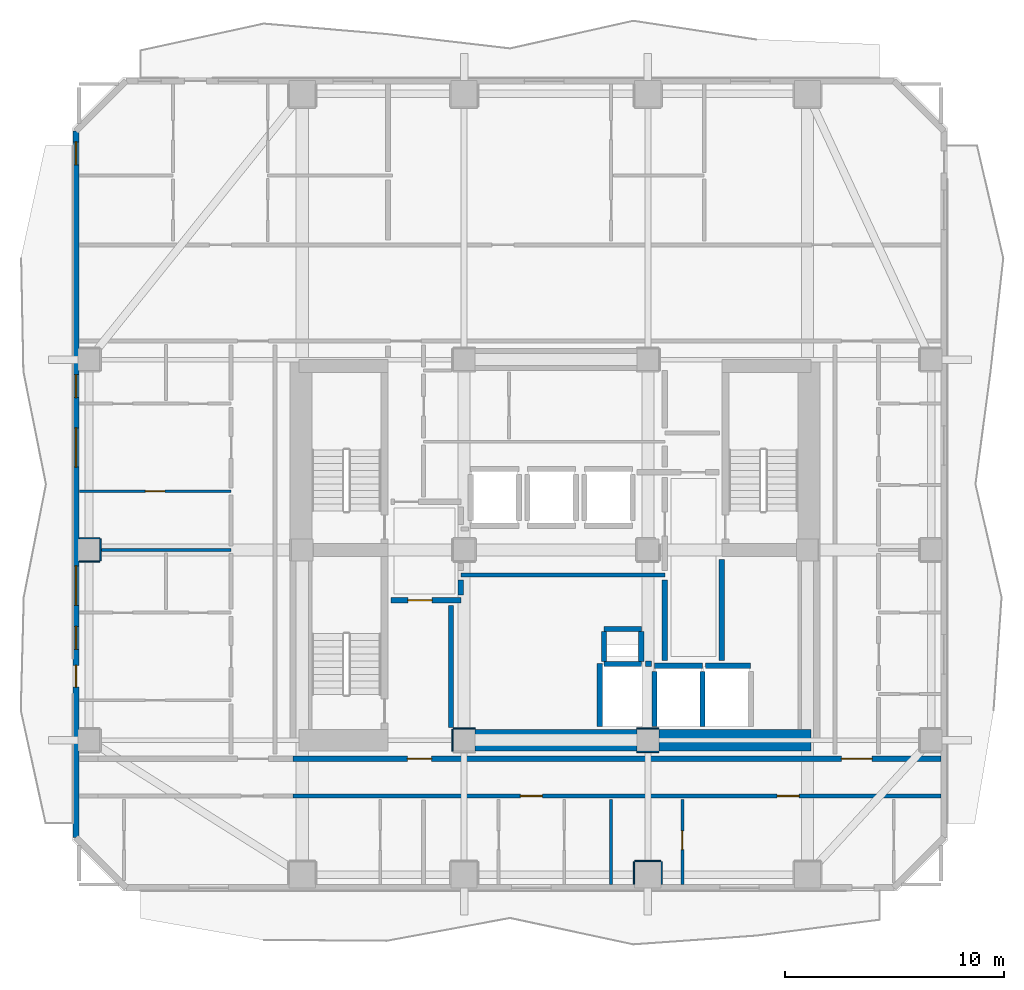
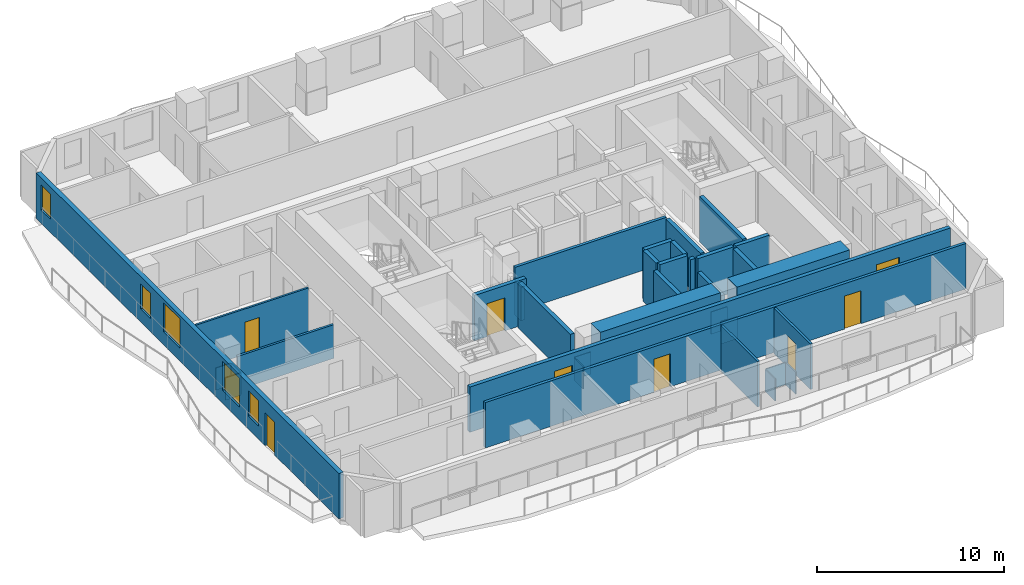
# One storey, part 3 of 11: 35 walls, 8 doors, 5 windows, 13 openings.
"""IFC4 building model written with IfcOpenShell, lengths in metres."""

from ifc_helpers import new_model, si_unit, direction, frame, frame_2d, origin, place, context, subcontext, project, spatial, rectangle, extrude, material, layer, layer_set, type_object, element, fill, save


model = new_model("IFC4")

# Units and contexts
model_context = context("Model", 3, precision=1e-05, world=origin(), true_north=direction((0.0, 1.0)))
body_context = subcontext(model_context, "Body", "Model", "MODEL_VIEW")
ifc_project = project(units=[si_unit("LENGTHUNIT", "METRE"), si_unit("AREAUNIT", "SQUARE_METRE"), si_unit("VOLUMEUNIT", "CUBIC_METRE"), si_unit("PLANEANGLEUNIT", "RADIAN"), si_unit("MASSUNIT", "GRAM", prefix="KILO")], contexts=[model_context])

# Site, building, storey
site_placement = place(None, origin())
site = spatial("IfcSite", under=ifc_project, at=site_placement, CompositionType="ELEMENT")
building_placement = place(site_placement, origin())
building = spatial("IfcBuilding", under=site, at=building_placement, Name="Solanera Arch Residences", CompositionType="ELEMENT")
storey_placement = place(building_placement, frame((0.0, 0.0, 169.159912109375)))
storey = spatial("IfcBuildingStorey", under=building, at=storey_placement, Name="L49", CompositionType="ELEMENT", Elevation=169.159912109375)

# Walls
ifc_material_1 = material(Name="Fire-Rated Gypsum Stud Partition", Category="gypsum")
ifc_layer_1 = layer(ifc_material_1, 0.06005859375)
ifc_layer_set_1 = layer_set([ifc_layer_1], Name="Fire-Rated Gypsum Stud Partition")
wall_type_1 = type_object("IfcWallType", Name="Column Acoustic Furring Wall 60", PredefinedType="PARTITIONING", material=ifc_layer_set_1)
for number, where, z_axis, x_axis, name in (
    (1, (20.300048828125, 22.531982421875, 0.0), (0.0, 0.0, 1.0), (1.0, 0.0, 0.0), "L49 Column Furring 1N"),
    (2, (20.26806640625, 21.5, 0.0), (0.0, 0.0, 1.0), (0.0, 1.0, 0.0), "L49 Column Furring 1W"),
    (3, (28.699951171875, 21.468017578125, 0.0), (0.0, 0.0, 1.0), (1.0, 0.0, 0.0), "L49 Column Furring 2S"),
    (4, (28.699951171875, 22.531982421875, 0.0), (0.0, 0.0, 1.0), (1.0, 0.0, 0.0), "L49 Column Furring 2N"),
):
    element("IfcWall", number, at=place(storey_placement, frame(where, z_axis=z_axis, x_axis=x_axis)), inside=storey, type_object=wall_type_1, Name=name, PredefinedType="PARTITIONING", context=body_context, shape_type="SweptSolid", body=[
        extrude(rectangle(XDim=1.0, YDim=0.06005859375, at=frame_2d((0.5, 0.0))), origin(), (0.0, 0.0, 1.0), 1.4501953125),
    ])
wall_1_placement = place(storey_placement, frame((28.60009765625, 16.48193359375, 0.0), z_axis=(0.0, 0.0, 1.0), x_axis=(1.0, 0.0, 0.0)))
element("IfcWall", 5, at=wall_1_placement, inside=storey, type_object=wall_type_1, Name="L49 Column Furring 13N", PredefinedType="PARTITIONING", context=body_context, shape_type="SweptSolid", body=[
    extrude(rectangle(XDim=1.199951171875, YDim=0.06005859375, at=frame_2d((0.60009765625, 0.0))), origin(), (0.0, 0.0, 1.0), 1.4501953125),
])
for number, where, z_axis, x_axis, name in (
    (6, (28.568115234375, 15.409912109375, 0.0), (0.0, 0.0, 1.0), (0.0, 1.0, 0.0), "L49 Column Furring 13W"),
    (7, (29.83203125, 15.409912109375, 0.0), (0.0, 0.0, 1.0), (0.0, 1.0, 0.0), "L49 Column Furring 13E"),
):
    element("IfcWall", number, at=place(storey_placement, frame(where, z_axis=z_axis, x_axis=x_axis)), inside=storey, type_object=wall_type_1, Name=name, PredefinedType="PARTITIONING", context=body_context, shape_type="SweptSolid", body=[
        extrude(rectangle(XDim=1.0400390625, YDim=0.06005859375, at=frame_2d((0.52001953125, 0.0))), origin(), (0.0, 0.0, 1.0), 1.4501953125),
    ])
for number, where, z_axis, x_axis, name in (
    (8, (3.2099609375, 30.16796875, 0.0), (0.0, 0.0, 1.0), (1.0, 0.0, 0.0), "L49 Column Furring 19S"),
    (9, (3.2099609375, 31.23193359375, 0.0), (0.0, 0.0, 1.0), (1.0, 0.0, 0.0), "L49 Column Furring 19N"),
):
    element("IfcWall", number, at=place(storey_placement, frame(where, z_axis=z_axis, x_axis=x_axis)), inside=storey, type_object=wall_type_1, Name=name, PredefinedType="PARTITIONING", context=body_context, shape_type="SweptSolid", body=[
        extrude(rectangle(XDim=0.93994140625, YDim=0.06005859375, at=frame_2d((0.469970703125, 0.0))), origin(), (0.0, 0.0, 1.0), 1.4501953125),
    ])
wall_2_placement = place(storey_placement, frame((4.181884765625, 30.199951171875, 0.0), z_axis=(0.0, 0.0, 1.0), x_axis=(0.0, 1.0, 0.0)))
element("IfcWall", 10, at=wall_2_placement, inside=storey, type_object=wall_type_1, Name="L49 Column Furring 19E", PredefinedType="PARTITIONING", context=body_context, shape_type="SweptSolid", body=[
    extrude(rectangle(XDim=1.0, YDim=0.06005859375, at=frame_2d((0.5, 0.0))), origin(), (0.0, 0.0, 1.0), 1.4501953125),
])
ifc_material_2 = material(Name="Concrete C55/67 (f'c = 60 MPa)", Category="concrete")
ifc_layer_2 = layer(ifc_material_2, 1.0)
ifc_layer_set_2 = layer_set([ifc_layer_2], Name="Concrete C55/67 (f'c = 60 MPa)")
wall_type_2 = type_object("IfcWallType", Name="Core Shear Wall CW-1000", PredefinedType="SHEAR", material=ifc_layer_set_2)
wall_3_placement = place(storey_placement, frame((29.705078125, 22.0, 0.0), z_axis=(0.0, 0.0, 1.0), x_axis=(1.0, 0.0, 0.0)))
element("IfcWall", 11, at=wall_3_placement, inside=storey, type_object=wall_type_2, Name="L49 South-East Core Shear Wall", PredefinedType="SHEAR", context=body_context, shape_type="SweptSolid", body=[
    extrude(rectangle(XDim=6.954833984375, YDim=1.0, at=frame_2d((3.4775390625, 0.0))), origin(), (0.0, 0.0, 1.0), 3.320068359375),
])
wall_4_placement = place(storey_placement, frame((21.304931640625, 22.0, 0.0), z_axis=(0.0, 0.0, 1.0), x_axis=(1.0, 0.0, 0.0)))
element("IfcWall", 12, at=wall_4_placement, inside=storey, type_object=wall_type_2, Name="L49 Central South Core Shear Wall", PredefinedType="SHEAR", context=body_context, shape_type="SweptSolid", body=[
    extrude(rectangle(XDim=7.39013671875, YDim=1.0, at=frame_2d((3.695068359375, 0.0))), origin(), (0.0, 0.0, 1.0), 3.320068359375),
])

# Wall, openings, doors
ifc_material_3 = material(Name="Autoclaved Aerated Concrete Blockwork", Category="masonry")
ifc_layer_3 = layer(ifc_material_3, 0.179931640625)
ifc_layer_set_3 = layer_set([ifc_layer_3], Name="Autoclaved Aerated Concrete Blockwork")
wall_type_3 = type_object("IfcWallType", Name="Corridor Fire Partition 180", PredefinedType="PARTITIONING", material=ifc_layer_set_3)
wall_5_placement = place(storey_placement, frame((12.98291015625, 19.449951171875, 0.0), z_axis=(0.0, 0.0, 1.0), x_axis=(1.0, 0.0, 0.0)))
wall_5 = element("IfcWall", 13, at=wall_5_placement, inside=storey, type_object=wall_type_3, Name="L49 Interior Partition H6 3", PredefinedType="PARTITIONING", context=body_context, shape_type="SweptSolid", body=[
    extrude(rectangle(XDim=29.610107421875, YDim=0.179931640625, at=frame_2d((14.80517578125, 0.0))), origin(), (0.0, 0.0, 1.0), 2.960205078125),
])
opening_1_placement = place(wall_5_placement, frame((10.39208984375, 0.0, 0.0)))
opening_1 = element("IfcOpeningElement", 14, at=opening_1_placement, cuts=wall_5, Name="Opening DI-01", PredefinedType="OPENING", context=body_context, shape_type="SweptSolid", body=[
    extrude(rectangle(XDim=1.0, YDim=2.14990234375, at=frame_2d((0.5, 1.074951171875))), frame((0.0, 0.10009765625, 0.0), z_axis=(0.0, -1.0, 0.0), x_axis=(1.0, 0.0, 0.0)), (0.0, 0.0, 1.0), 0.1999),
])
opening_2_placement = place(wall_5_placement, frame((22.132080078125, 0.0, 0.0)))
opening_2 = element("IfcOpeningElement", 15, at=opening_2_placement, cuts=wall_5, Name="Opening DI-01", PredefinedType="OPENING", context=body_context, shape_type="SweptSolid", body=[
    extrude(rectangle(XDim=1.0, YDim=2.14990234375, at=frame_2d((0.5, 1.074951171875))), frame((0.0, 0.10009765625, 0.0), z_axis=(0.0, -1.0, 0.0), x_axis=(1.0, 0.0, 0.0)), (0.0, 0.0, 1.0), 0.1999),
])
ifc_material_4 = material(Name="Fire-Rated Architectural Hardwood", Category="wood")
door_type_1 = type_object("IfcDoorType", Name="Unit Entrance Fire Door DI-01", OperationType="NOTDEFINED", PredefinedType="DOOR", material=ifc_material_4)
door_1_placement = place(opening_1_placement, origin())
door_1 = element("IfcDoor", 16, at=door_1_placement, inside=storey, type_object=door_type_1, Name="DR-L49-IN-019", OperationType="SINGLE_SWING_LEFT", OverallHeight=2.14990234375, OverallWidth=1.0, PredefinedType="DOOR", context=body_context, shape_type="SweptSolid", body=[
    extrude(rectangle(XDim=1.0, YDim=2.14990234375, at=frame_2d((0.5, 1.074951171875))), frame((0.0, 0.02490234375, 0.0), z_axis=(0.0, -1.0, 0.0), x_axis=(1.0, 0.0, 0.0)), (0.0, 0.0, 1.0), 0.050048828125),
])
fill(opening_1, door_1)
door_2_placement = place(opening_2_placement, origin())
door_2 = element("IfcDoor", 17, at=door_2_placement, inside=storey, type_object=door_type_1, Name="DR-L49-IN-022", OperationType="SINGLE_SWING_RIGHT", OverallHeight=2.14990234375, OverallWidth=1.0, PredefinedType="DOOR", context=body_context, shape_type="SweptSolid", body=[
    extrude(rectangle(XDim=1.0, YDim=2.14990234375, at=frame_2d((0.5, 1.074951171875))), frame((0.0, 0.02490234375, 0.0), z_axis=(0.0, -1.0, 0.0), x_axis=(1.0, 0.0, 0.0)), (0.0, 0.0, 1.0), 0.050048828125),
])
fill(opening_2, door_2)

# Wall
wall_6_placement = place(storey_placement, frame((20.64990234375, 29.550048828125, 0.0), z_axis=(0.0, 0.0, 1.0), x_axis=(1.0, 0.0, 0.0)))
element("IfcWall", 18, at=wall_6_placement, inside=storey, type_object=wall_type_3, Name="L49 Interior Partition H7", PredefinedType="PARTITIONING", context=body_context, shape_type="SweptSolid", body=[
    extrude(rectangle(XDim=9.3251953125, YDim=0.179931640625, at=frame_2d((4.66259765625, 0.0))), origin(), (0.0, 0.0, 1.0), 2.960205078125),
])

# Wall, openings, door, windows
ifc_material_5 = material(Name="Precast Concrete C35/45", Category="concrete")
ifc_layer_4 = layer(ifc_material_5, 0.280029296875)
ifc_layer_set_4 = layer_set([ifc_layer_4], Name="Precast Concrete C35/45")
wall_type_4 = type_object("IfcWallType", Name="Exterior Wall Precast Masonry-Frame 280", PredefinedType="STANDARD", material=ifc_layer_set_4)
wall_7_placement = place(storey_placement, frame((3.054931640625, 17.554931640625, 0.0), z_axis=(0.0, 0.0, 1.0), x_axis=(0.0, 1.0, 0.0)))
wall_7 = element("IfcWall", 19, at=wall_7_placement, inside=storey, type_object=wall_type_4, Name="L49 Tower Exterior Precast Masonry-Frame Wall W", PredefinedType="STANDARD", context=body_context, shape_type="SweptSolid", body=[
    extrude(rectangle(XDim=32.2900390625, YDim=0.280029296875, at=frame_2d((16.14501953125, 0.0))), origin(), (0.0, 0.0, 1.0), 2.960205078125),
])
opening_3_placement = place(wall_7_placement, frame((6.87109375, 0.0, 0.0)))
opening_3 = element("IfcOpeningElement", 20, at=opening_3_placement, cuts=wall_7, Name="Opening DB-01", PredefinedType="OPENING", context=body_context, shape_type="SweptSolid", body=[
    extrude(rectangle(XDim=1.0, YDim=2.14990234375, at=frame_2d((0.5, 1.074951171875))), frame((0.0, 0.14990234375, 0.0), z_axis=(0.0, -1.0, 0.0), x_axis=(1.0, 0.0, 0.0)), (0.0, 0.0, 1.0), 0.3),
])
opening_4_placement = place(wall_7_placement, frame((30.7529296875, 0.0, 0.85009765625)))
opening_4 = element("IfcOpeningElement", 21, at=opening_4_placement, cuts=wall_7, Name="Opening W-07", PredefinedType="OPENING", context=body_context, shape_type="SweptSolid", body=[
    extrude(rectangle(XDim=1.050048828125, YDim=1.64990234375, at=frame_2d((0.52490234375, 0.824951171875))), frame((0.0, 0.14990234375, 0.0), z_axis=(0.0, -1.0, 0.0), x_axis=(1.0, 0.0, 0.0)), (0.0, 0.0, 1.0), 0.3),
])
opening_5_placement = place(wall_7_placement, frame((8.60009765625, 0.0, 0.85009765625)))
opening_5 = element("IfcOpeningElement", 22, at=opening_5_placement, cuts=wall_7, Name="Opening W-07", PredefinedType="OPENING", context=body_context, shape_type="SweptSolid", body=[
    extrude(rectangle(XDim=1.050048828125, YDim=1.64990234375, at=frame_2d((0.52490234375, 0.824951171875))), frame((0.0, 0.14990234375, 0.0), z_axis=(0.0, -1.0, 0.0), x_axis=(1.0, 0.0, 0.0)), (0.0, 0.0, 1.0), 0.3),
])
opening_6_placement = place(wall_7_placement, frame((10.612060546875, 0.0, 0.85009765625)))
opening_6 = element("IfcOpeningElement", 23, at=opening_6_placement, cuts=wall_7, Name="Opening W-03", PredefinedType="OPENING", context=body_context, shape_type="SweptSolid", body=[
    extrude(rectangle(XDim=1.800048828125, YDim=1.89990234375, at=frame_2d((0.89990234375, 0.949951171875))), frame((0.0, 0.14990234375, 0.0), z_axis=(0.0, -1.0, 0.0), x_axis=(1.0, 0.0, 0.0)), (0.0, 0.0, 1.0), 0.3),
])
opening_7_placement = place(wall_7_placement, frame((16.925048828125, 0.0, 0.85009765625)))
opening_7 = element("IfcOpeningElement", 24, at=opening_7_placement, cuts=wall_7, Name="Opening W-03", PredefinedType="OPENING", context=body_context, shape_type="SweptSolid", body=[
    extrude(rectangle(XDim=1.800048828125, YDim=1.89990234375, at=frame_2d((0.89990234375, 0.949951171875))), frame((0.0, 0.14990234375, 0.0), z_axis=(0.0, -1.0, 0.0), x_axis=(1.0, 0.0, 0.0)), (0.0, 0.0, 1.0), 0.3),
])
opening_8_placement = place(wall_7_placement, frame((20.113037109375, 0.0, 0.85009765625)))
opening_8 = element("IfcOpeningElement", 25, at=opening_8_placement, cuts=wall_7, Name="Opening W-07", PredefinedType="OPENING", context=body_context, shape_type="SweptSolid", body=[
    extrude(rectangle(XDim=1.050048828125, YDim=1.64990234375, at=frame_2d((0.52490234375, 0.824951171875))), frame((0.0, 0.14990234375, 0.0), z_axis=(0.0, -1.0, 0.0), x_axis=(1.0, 0.0, 0.0)), (0.0, 0.0, 1.0), 0.3),
])
ifc_material_6 = material(Name="Anodised Aluminium Alloy 6063-T6", Category="aluminium")
door_type_2 = type_object("IfcDoorType", Name="Glazed Balcony Swing Door DB-01", OperationType="NOTDEFINED", PredefinedType="DOOR", material=ifc_material_6)
door_3_placement = place(opening_3_placement, origin())
door_3 = element("IfcDoor", 26, at=door_3_placement, inside=storey, type_object=door_type_2, Name="DR-L49-OUT-04", OperationType="SINGLE_SWING_RIGHT", OverallHeight=2.14990234375, OverallWidth=1.0, PredefinedType="DOOR", context=body_context, shape_type="SweptSolid", body=[
    extrude(rectangle(XDim=1.0, YDim=2.14990234375, at=frame_2d((0.5, 1.074951171875))), frame((0.0, 0.02490234375, 0.0), z_axis=(0.0, -1.0, 0.0), x_axis=(1.0, 0.0, 0.0)), (0.0, 0.0, 1.0), 0.050048828125),
])
fill(opening_3, door_3)
ifc_material_7 = material(Name="Double Glazed Low-E Laminated Glass", Category="glass")
window_type_1 = type_object("IfcWindowType", Name="Punched Window W-03", PartitioningType="DOUBLE_PANEL_VERTICAL", PredefinedType="WINDOW", material=ifc_material_7)
window_1_placement = place(opening_6_placement, origin())
window_1 = element("IfcWindow", 27, at=window_1_placement, inside=storey, type_object=window_type_1, Name="L49 4906-BR1 Punched Window", OverallHeight=1.89990234375, OverallWidth=1.800048828125, PartitioningType="SINGLE_PANEL", PredefinedType="WINDOW", context=body_context, shape_type="SweptSolid", body=[
    extrude(rectangle(XDim=1.800048828125, YDim=1.89990234375, at=frame_2d((0.89990234375, 0.949951171875))), frame((0.0, 0.030029296875, 0.0), z_axis=(0.0, -1.0, 0.0), x_axis=(1.0, 0.0, 0.0)), (0.0, 0.0, 1.0), 0.06005859375),
])
fill(opening_6, window_1)
window_2_placement = place(opening_7_placement, origin())
window_2 = element("IfcWindow", 28, at=window_2_placement, inside=storey, type_object=window_type_1, Name="L49 4907-LIV Punched Window", OverallHeight=1.89990234375, OverallWidth=1.800048828125, PartitioningType="SINGLE_PANEL", PredefinedType="WINDOW", context=body_context, shape_type="SweptSolid", body=[
    extrude(rectangle(XDim=1.800048828125, YDim=1.89990234375, at=frame_2d((0.89990234375, 0.949951171875))), frame((0.0, 0.030029296875, 0.0), z_axis=(0.0, -1.0, 0.0), x_axis=(1.0, 0.0, 0.0)), (0.0, 0.0, 1.0), 0.06005859375),
])
fill(opening_7, window_2)
ifc_material_8 = material(Name="Double Glazed Low-E Laminated Glass", Category="glass")
window_type_2 = type_object("IfcWindowType", Name="Punched Window W-07", PartitioningType="SINGLE_PANEL", PredefinedType="WINDOW", material=ifc_material_8)
window_3_placement = place(opening_4_placement, origin())
window_3 = element("IfcWindow", 29, at=window_3_placement, inside=storey, type_object=window_type_2, Name="L49 4904-BR1 Punched Window", OverallHeight=1.64990234375, OverallWidth=1.050048828125, PartitioningType="SINGLE_PANEL", PredefinedType="WINDOW", context=body_context, shape_type="SweptSolid", body=[
    extrude(rectangle(XDim=1.050048828125, YDim=1.64990234375, at=frame_2d((0.52490234375, 0.824951171875))), frame((0.0, 0.030029296875, 0.0), z_axis=(0.0, -1.0, 0.0), x_axis=(1.0, 0.0, 0.0)), (0.0, 0.0, 1.0), 0.06005859375),
])
fill(opening_4, window_3)
window_4_placement = place(opening_5_placement, origin())
window_4 = element("IfcWindow", 30, at=window_4_placement, inside=storey, type_object=window_type_2, Name="L49 4906-LIV Punched Window", OverallHeight=1.64990234375, OverallWidth=1.050048828125, PartitioningType="SINGLE_PANEL", PredefinedType="WINDOW", context=body_context, shape_type="SweptSolid", body=[
    extrude(rectangle(XDim=1.050048828125, YDim=1.64990234375, at=frame_2d((0.52490234375, 0.824951171875))), frame((0.0, 0.030029296875, 0.0), z_axis=(0.0, -1.0, 0.0), x_axis=(1.0, 0.0, 0.0)), (0.0, 0.0, 1.0), 0.06005859375),
])
fill(opening_5, window_4)
window_5_placement = place(opening_8_placement, origin())
window_5 = element("IfcWindow", 31, at=window_5_placement, inside=storey, type_object=window_type_2, Name="L49 4907-BR1 Punched Window", OverallHeight=1.64990234375, OverallWidth=1.050048828125, PartitioningType="SINGLE_PANEL", PredefinedType="WINDOW", context=body_context, shape_type="SweptSolid", body=[
    extrude(rectangle(XDim=1.050048828125, YDim=1.64990234375, at=frame_2d((0.52490234375, 0.824951171875))), frame((0.0, 0.030029296875, 0.0), z_axis=(0.0, -1.0, 0.0), x_axis=(1.0, 0.0, 0.0)), (0.0, 0.0, 1.0), 0.06005859375),
])
fill(opening_8, window_5)

# Walls
ifc_material_9 = material(Name="Concrete C40/50 (f'c = 45 MPa)", Category="concrete")
ifc_layer_5 = layer(ifc_material_9, 0.239990234375)
ifc_layer_set_5 = layer_set([ifc_layer_5], Name="Concrete C40/50 (f'c = 45 MPa)")
wall_type_5 = type_object("IfcWallType", Name="Ramp Bearing Shear Wall RW-240", PredefinedType="SHEAR", material=ifc_layer_set_5)
for number, where, z_axis, x_axis, name in (
    (32, (27.199951171875, 25.47998046875, 0.0), (0.0, 0.0, 1.0), (1.0, 0.0, 0.0), "L49 Core MEP Riser South Shaft Wall"),
    (33, (27.199951171875, 27.080078125, 0.0), (0.0, 0.0, 1.0), (1.0, 0.0, 0.0), "L49 Core MEP Riser North Shaft Wall"),
):
    element("IfcWall", number, at=place(storey_placement, frame(where, z_axis=z_axis, x_axis=x_axis)), inside=storey, type_object=wall_type_5, Name=name, PredefinedType="SHEAR", context=body_context, shape_type="SweptSolid", body=[
        extrude(rectangle(XDim=1.699951171875, YDim=0.239990234375, at=frame_2d((0.85009765625, 0.0))), origin(), (0.0, 0.0, 1.0), 3.320068359375),
    ])
for number, where, z_axis, x_axis, name in (
    (34, (27.199951171875, 25.60009765625, 0.0), (0.0, 0.0, 1.0), (0.0, 1.0, 0.0), "L49 Core MEP Riser West Shaft Wall"),
    (35, (28.89990234375, 25.60009765625, 0.0), (0.0, 0.0, 1.0), (0.0, 1.0, 0.0), "L49 Core MEP Riser East Shaft Wall"),
):
    element("IfcWall", number, at=place(storey_placement, frame(where, z_axis=z_axis, x_axis=x_axis)), inside=storey, type_object=wall_type_5, Name=name, PredefinedType="SHEAR", context=body_context, shape_type="SweptSolid", body=[
        extrude(rectangle(XDim=1.35986328125, YDim=0.239990234375, at=frame_2d((0.679931640625, 0.0))), origin(), (0.0, 0.0, 1.0), 3.320068359375),
    ])
ifc_material_10 = material(Name="Autoclaved Aerated Concrete Blockwork", Category="masonry")
ifc_layer_6 = layer(ifc_material_10, 0.239990234375)
ifc_layer_set_6 = layer_set([ifc_layer_6], Name="Autoclaved Aerated Concrete Blockwork")
wall_type_6 = type_object("IfcWallType", Name="Shaft Wall Fire-Rated 240", PredefinedType="PARTITIONING", material=ifc_layer_set_6)
wall_8_placement = place(storey_placement, frame((29.5, 25.39990234375, 0.0), z_axis=(0.0, 0.0, 1.0), x_axis=(1.0, 0.0, 0.0)))
element("IfcWall", 36, at=wall_8_placement, inside=storey, type_object=wall_type_6, Name="L49 Lift FFL-1 Hoistway Wall N", PredefinedType="PARTITIONING", context=body_context, shape_type="SweptSolid", body=[
    extrude(rectangle(XDim=2.199951171875, YDim=0.239990234375, at=frame_2d((1.10009765625, 0.0))), origin(), (0.0, 0.0, 1.0), 2.960205078125),
])
wall_9_placement = place(storey_placement, frame((29.5, 22.632080078125, 0.0), z_axis=(0.0, 0.0, 1.0), x_axis=(0.0, 1.0, 0.0)))
element("IfcWall", 37, at=wall_9_placement, inside=storey, type_object=wall_type_6, Name="L49 Lift FFL-1 Hoistway Wall W", PredefinedType="PARTITIONING", context=body_context, shape_type="SweptSolid", body=[
    extrude(rectangle(XDim=2.52001953125, YDim=0.239990234375, at=frame_2d((1.260009765625, 0.0))), origin(), (0.0, 0.0, 1.0), 2.195068359375),
])
wall_10_placement = place(storey_placement, frame((31.699951171875, 22.6298828125, 0.0), z_axis=(0.0, 0.0, 1.0), x_axis=(0.0, 1.0, 0.0)))
element("IfcWall", 38, at=wall_10_placement, inside=storey, type_object=wall_type_6, Name="L49 Lift FFL-1 Hoistway Wall E", PredefinedType="PARTITIONING", context=body_context, shape_type="SweptSolid", body=[
    extrude(rectangle(XDim=2.522216796875, YDim=0.239990234375, at=frame_2d((1.26123046875, 0.0))), origin(), (0.0, 0.0, 1.0), 2.960205078125),
])
wall_11_placement = place(storey_placement, frame((31.827880859375, 25.39990234375, 0.0), z_axis=(0.0, 0.0, 1.0), x_axis=(1.0, 0.0, 0.0)))
element("IfcWall", 39, at=wall_11_placement, inside=storey, type_object=wall_type_6, Name="L49 Lift FFL-2 Hoistway Wall N", PredefinedType="PARTITIONING", context=body_context, shape_type="SweptSolid", body=[
    extrude(rectangle(XDim=2.072021484375, YDim=0.239990234375, at=frame_2d((1.0361328125, 0.0))), origin(), (0.0, 0.0, 1.0), 2.960205078125),
])
wall_12_placement = place(storey_placement, frame((29.10302734375, 25.5, 0.0), z_axis=(0.0, 0.0, 1.0), x_axis=(1.0, 0.0, 0.0)))
element("IfcWall", 40, at=wall_12_placement, inside=storey, type_object=wall_type_6, Name="L49 Lift SVL-1 Hoistway Wall N", PredefinedType="PARTITIONING", context=body_context, shape_type="SweptSolid", body=[
    extrude(rectangle(XDim=0.26904296875, YDim=0.239990234375, at=frame_2d((0.134521484375, 0.0))), origin(), (0.0, 0.0, 1.0), 2.960205078125),
])
wall_13_placement = place(storey_placement, frame((27.0, 22.6298828125, 0.0), z_axis=(0.0, 0.0, 1.0), x_axis=(0.0, 1.0, 0.0)))
element("IfcWall", 41, at=wall_13_placement, inside=storey, type_object=wall_type_6, Name="L49 Lift SVL-1 Hoistway Wall W", PredefinedType="PARTITIONING", context=body_context, shape_type="SweptSolid", body=[
    extrude(rectangle(XDim=2.8681640625, YDim=0.239990234375, at=frame_2d((1.43408203125, 0.0))), origin(), (0.0, 0.0, 1.0), 2.960205078125),
])

# Wall, openings, doors
wall_14_placement = place(storey_placement, frame((12.98291015625, 21.14990234375, 0.0), z_axis=(0.0, 0.0, 1.0), x_axis=(1.0, 0.0, 0.0)))
wall_14 = element("IfcWall", 42, at=wall_14_placement, inside=storey, type_object=wall_type_6, Name="L49 Interior Partition H1 3", PredefinedType="PARTITIONING", context=body_context, shape_type="SweptSolid", body=[
    extrude(rectangle(XDim=29.610107421875, YDim=0.239990234375, at=frame_2d((14.80517578125, 0.0))), origin(), (0.0, 0.0, 1.0), 2.960205078125),
])
opening_9_placement = place(wall_14_placement, frame((5.22705078125, 0.0, 0.0)))
opening_9 = element("IfcOpeningElement", 43, at=opening_9_placement, cuts=wall_14, Name="Opening DF-02", PredefinedType="OPENING", context=body_context, shape_type="SweptSolid", body=[
    extrude(rectangle(XDim=1.10009765625, YDim=2.14990234375, at=frame_2d((0.550048828125, 1.074951171875))), frame((0.0, 0.1298828125, 0.0), z_axis=(0.0, -1.0, 0.0), x_axis=(1.0, 0.0, 0.0)), (0.0, 0.0, 1.0), 0.26),
])
opening_10_placement = place(wall_14_placement, frame((25.06689453125, 0.0, 0.0)))
opening_10 = element("IfcOpeningElement", 44, at=opening_10_placement, cuts=wall_14, Name="Opening DF-03", PredefinedType="OPENING", context=body_context, shape_type="SweptSolid", body=[
    extrude(rectangle(XDim=1.39990234375, YDim=2.14990234375, at=frame_2d((0.699951171875, 1.074951171875))), frame((0.0, 0.1298828125, 0.0), z_axis=(0.0, -1.0, 0.0), x_axis=(1.0, 0.0, 0.0)), (0.0, 0.0, 1.0), 0.26),
])
ifc_material_11 = material(Name="Fire-Rated Architectural Hardwood", Category="wood")
door_type_3 = type_object("IfcDoorType", Name="Corridor Smoke Door DF-03", OperationType="NOTDEFINED", PredefinedType="DOOR", material=ifc_material_11)
door_4_placement = place(opening_10_placement, origin())
door_4 = element("IfcDoor", 45, at=door_4_placement, inside=storey, type_object=door_type_3, Name="DR-L49-IN-011", OperationType="SINGLE_SWING_LEFT", OverallHeight=2.14990234375, OverallWidth=1.39990234375, PredefinedType="DOOR", context=body_context, shape_type="SweptSolid", body=[
    extrude(rectangle(XDim=1.39990234375, YDim=2.14990234375, at=frame_2d((0.699951171875, 1.074951171875))), frame((0.0, 0.02490234375, 0.0), z_axis=(0.0, -1.0, 0.0), x_axis=(1.0, 0.0, 0.0)), (0.0, 0.0, 1.0), 0.050048828125),
])
fill(opening_10, door_4)
ifc_material_12 = material(Name="Fire-Rated Architectural Hardwood", Category="wood")
door_type_4 = type_object("IfcDoorType", Name="Firefighting Lobby Fire Door DF-02", OperationType="NOTDEFINED", PredefinedType="DOOR", material=ifc_material_12)
door_5_placement = place(opening_9_placement, origin())
door_5 = element("IfcDoor", 46, at=door_5_placement, inside=storey, type_object=door_type_4, Name="DR-L49-IN-008", OperationType="SINGLE_SWING_RIGHT", OverallHeight=2.14990234375, OverallWidth=1.10009765625, PredefinedType="DOOR", context=body_context, shape_type="SweptSolid", body=[
    extrude(rectangle(XDim=1.10009765625, YDim=2.14990234375, at=frame_2d((0.550048828125, 1.074951171875))), frame((0.0, 0.02490234375, 0.0), z_axis=(0.0, -1.0, 0.0), x_axis=(1.0, 0.0, 0.0)), (0.0, 0.0, 1.0), 0.050048828125),
])
fill(opening_9, door_5)

# Wall, opening, door
wall_15_placement = place(storey_placement, frame((17.449951171875, 28.39990234375, 0.0), z_axis=(0.0, 0.0, 1.0), x_axis=(1.0, 0.0, 0.0)))
wall_15 = element("IfcWall", 47, at=wall_15_placement, inside=storey, type_object=wall_type_6, Name="L49 Interior Partition H3", PredefinedType="PARTITIONING", context=body_context, shape_type="SweptSolid", body=[
    extrude(rectangle(XDim=3.199951171875, YDim=0.239990234375, at=frame_2d((1.60009765625, 0.0))), origin(), (0.0, 0.0, 1.0), 2.960205078125),
])
opening_11_placement = place(wall_15_placement, frame((0.783935546875, 0.0, 0.0)))
opening_11 = element("IfcOpeningElement", 48, at=opening_11_placement, cuts=wall_15, Name="Opening DF-02", PredefinedType="OPENING", context=body_context, shape_type="SweptSolid", body=[
    extrude(rectangle(XDim=1.10009765625, YDim=2.14990234375, at=frame_2d((0.550048828125, 1.074951171875))), frame((0.0, 0.1298828125, 0.0), z_axis=(0.0, -1.0, 0.0), x_axis=(1.0, 0.0, 0.0)), (0.0, 0.0, 1.0), 0.26),
])
door_6_placement = place(opening_11_placement, origin())
door_6 = element("IfcDoor", 49, at=door_6_placement, inside=storey, type_object=door_type_4, Name="DR-L49-IN-004", OperationType="SINGLE_SWING_RIGHT", OverallHeight=2.14990234375, OverallWidth=1.10009765625, PredefinedType="DOOR", context=body_context, shape_type="SweptSolid", body=[
    extrude(rectangle(XDim=1.10009765625, YDim=2.14990234375, at=frame_2d((0.550048828125, 1.074951171875))), frame((0.0, 0.02490234375, 0.0), z_axis=(0.0, -1.0, 0.0), x_axis=(1.0, 0.0, 0.0)), (0.0, 0.0, 1.0), 0.050048828125),
])
fill(opening_11, door_6)

# Walls
wall_16_placement = place(storey_placement, frame((20.199951171875, 22.5859375, 0.0), z_axis=(0.0, 0.0, 1.0), x_axis=(0.0, 1.0, 0.0)))
element("IfcWall", 50, at=wall_16_placement, inside=storey, type_object=wall_type_6, Name="L49 Interior Partition V3", PredefinedType="PARTITIONING", context=body_context, shape_type="SweptSolid", body=[
    extrude(rectangle(XDim=5.566162109375, YDim=0.239990234375, at=frame_2d((2.783203125, 0.0))), origin(), (0.0, 0.0, 1.0), 2.960205078125),
])
wall_17_placement = place(storey_placement, frame((20.64990234375, 28.64794921875, 0.0), z_axis=(0.0, 0.0, 1.0), x_axis=(0.0, 1.0, 0.0)))
element("IfcWall", 51, at=wall_17_placement, inside=storey, type_object=wall_type_6, Name="L49 Interior Partition V4 1", PredefinedType="PARTITIONING", context=body_context, shape_type="SweptSolid", body=[
    extrude(rectangle(XDim=0.68408203125, YDim=0.239990234375, at=frame_2d((0.342041015625, 0.0))), origin(), (0.0, 0.0, 1.0), 2.195068359375),
])
wall_18_placement = place(storey_placement, frame((29.97509765625, 25.64794921875, 0.0), z_axis=(0.0, 0.0, 1.0), x_axis=(0.0, 1.0, 0.0)))
element("IfcWall", 52, at=wall_18_placement, inside=storey, type_object=wall_type_6, Name="L49 Interior Partition V5 1", PredefinedType="PARTITIONING", context=body_context, shape_type="SweptSolid", body=[
    extrude(rectangle(XDim=3.68408203125, YDim=0.239990234375, at=frame_2d((1.842041015625, 0.0))), origin(), (0.0, 0.0, 1.0), 2.960205078125),
])
wall_19_placement = place(storey_placement, frame((32.580078125, 25.64794921875, 0.0), z_axis=(0.0, 0.0, 1.0), x_axis=(0.0, 1.0, 0.0)))
element("IfcWall", 53, at=wall_19_placement, inside=storey, type_object=wall_type_6, Name="L49 Interior Partition V6", PredefinedType="PARTITIONING", context=body_context, shape_type="SweptSolid", body=[
    extrude(rectangle(XDim=4.6220703125, YDim=0.239990234375, at=frame_2d((2.31103515625, 0.0))), origin(), (0.0, 0.0, 1.0), 2.960205078125),
])

# Wall, opening, door
ifc_material_13 = material(Name="Fire-Rated Gypsum Stud Partition", Category="gypsum")
ifc_layer_7 = layer(ifc_material_13, 0.1201171875)
ifc_layer_set_7 = layer_set([ifc_layer_7], Name="Fire-Rated Gypsum Stud Partition")
wall_type_7 = type_object("IfcWallType", Name="Unit Drywall Partition 120", PredefinedType="PARTITIONING", material=ifc_layer_set_7)
wall_20_placement = place(storey_placement, frame((3.20703125, 33.3740234375, 0.0), z_axis=(0.0, 0.0, 1.0), x_axis=(1.0, 0.0, 0.0)))
wall_20 = element("IfcWall", 54, at=wall_20_placement, inside=storey, type_object=wall_type_7, Name="L49 Interior Partition H26", PredefinedType="PARTITIONING", context=body_context, shape_type="SweptSolid", body=[
    extrude(rectangle(XDim=6.94287109375, YDim=0.1201171875, at=frame_2d((3.471435546875, 0.0))), origin(), (0.0, 0.0, 1.0), 2.960205078125),
])
opening_12_placement = place(wall_20_placement, frame((3.01806640625, 0.0, 0.0)))
opening_12 = element("IfcOpeningElement", 55, at=opening_12_placement, cuts=wall_20, Name="Opening DI-02", PredefinedType="OPENING", context=body_context, shape_type="SweptSolid", body=[
    extrude(rectangle(XDim=0.89990234375, YDim=2.10009765625, at=frame_2d((0.449951171875, 1.050048828125))), frame((0.0, 0.070068359375, 0.0), z_axis=(0.0, -1.0, 0.0), x_axis=(1.0, 0.0, 0.0)), (0.0, 0.0, 1.0), 0.1401),
])
ifc_material_14 = material(Name="Fire-Rated Architectural Hardwood", Category="wood")
door_type_5 = type_object("IfcDoorType", Name="Suite Room Swing Door DI-02", OperationType="NOTDEFINED", PredefinedType="DOOR", material=ifc_material_14)
door_7_placement = place(opening_12_placement, origin())
door_7 = element("IfcDoor", 56, at=door_7_placement, inside=storey, type_object=door_type_5, Name="DR-L49-IN-039", OperationType="SINGLE_SWING_LEFT", OverallHeight=2.10009765625, OverallWidth=0.89990234375, PredefinedType="DOOR", context=body_context, shape_type="SweptSolid", body=[
    extrude(rectangle(XDim=0.89990234375, YDim=2.10009765625, at=frame_2d((0.449951171875, 1.050048828125))), frame((0.0, 0.02490234375, 0.0), z_axis=(0.0, -1.0, 0.0), x_axis=(1.0, 0.0, 0.0)), (0.0, 0.0, 1.0), 0.050048828125),
])
fill(opening_12, door_7)

# Walls
ifc_material_15 = material(Name="Autoclaved Aerated Concrete Blockwork", Category="masonry")
ifc_layer_8 = layer(ifc_material_15, 0.139892578125)
ifc_layer_set_8 = layer_set([ifc_layer_8], Name="Autoclaved Aerated Concrete Blockwork")
wall_type_8 = type_object("IfcWallType", Name="Wet-Room Partition 140", PredefinedType="PARTITIONING", material=ifc_layer_set_8)
wall_21_placement = place(storey_placement, frame((4.23193359375, 30.699951171875, 0.0), z_axis=(0.0, 0.0, 1.0), x_axis=(1.0, 0.0, 0.0)))
element("IfcWall", 57, at=wall_21_placement, inside=storey, type_object=wall_type_8, Name="L49 Interior Partition H16", PredefinedType="PARTITIONING", context=body_context, shape_type="SweptSolid", body=[
    extrude(rectangle(XDim=5.91796875, YDim=0.139892578125, at=frame_2d((2.958984375, 0.0))), origin(), (0.0, 0.0, 1.0), 2.195068359375),
])
wall_22_placement = place(storey_placement, frame((27.52001953125, 15.406982421875, 0.0), z_axis=(0.0, 0.0, 1.0), x_axis=(0.0, 1.0, 0.0)))
element("IfcWall", 58, at=wall_22_placement, inside=storey, type_object=wall_type_8, Name="L49 Interior Partition V21", PredefinedType="PARTITIONING", context=body_context, shape_type="SweptSolid", body=[
    extrude(rectangle(XDim=3.875, YDim=0.139892578125, at=frame_2d((1.9375, 0.0))), origin(), (0.0, 0.0, 1.0), 2.960205078125),
])

# Wall, opening, door
wall_23_placement = place(storey_placement, frame((30.780029296875, 15.406982421875, 0.0), z_axis=(0.0, 0.0, 1.0), x_axis=(0.0, 1.0, 0.0)))
wall_23 = element("IfcWall", 59, at=wall_23_placement, inside=storey, type_object=wall_type_8, Name="L49 Interior Partition V23", PredefinedType="PARTITIONING", context=body_context, shape_type="SweptSolid", body=[
    extrude(rectangle(XDim=3.875, YDim=0.139892578125, at=frame_2d((1.9375, 0.0))), origin(), (0.0, 0.0, 1.0), 2.960205078125),
])
opening_13_placement = place(wall_23_placement, frame((1.587890625, 0.0, 0.0)))
opening_13 = element("IfcOpeningElement", 60, at=opening_13_placement, cuts=wall_23, Name="Opening DI-05", PredefinedType="OPENING", context=body_context, shape_type="SweptSolid", body=[
    extrude(rectangle(XDim=0.860107421875, YDim=2.02001953125, at=frame_2d((0.43017578125, 1.010009765625))), frame((0.0, 0.079833984375, 0.0), z_axis=(0.0, -1.0, 0.0), x_axis=(1.0, 0.0, 0.0)), (0.0, 0.0, 1.0), 0.1599),
])
ifc_material_16 = material(Name="Fire-Rated Architectural Hardwood", Category="wood")
door_type_6 = type_object("IfcDoorType", Name="Bathroom Swing Door DI-05", OperationType="NOTDEFINED", PredefinedType="DOOR", material=ifc_material_16)
door_8_placement = place(opening_13_placement, origin())
door_8 = element("IfcDoor", 61, at=door_8_placement, inside=storey, type_object=door_type_6, Name="DR-L49-IN-023", OperationType="SINGLE_SWING_LEFT", OverallHeight=2.02001953125, OverallWidth=0.860107421875, PredefinedType="DOOR", context=body_context, shape_type="SweptSolid", body=[
    extrude(rectangle(XDim=0.860107421875, YDim=2.02001953125, at=frame_2d((0.43017578125, 1.010009765625))), frame((0.0, 0.02490234375, 0.0), z_axis=(0.0, -1.0, 0.0), x_axis=(1.0, 0.0, 0.0)), (0.0, 0.0, 1.0), 0.050048828125),
])
fill(opening_13, door_8)

save(model, "model.ifc")
